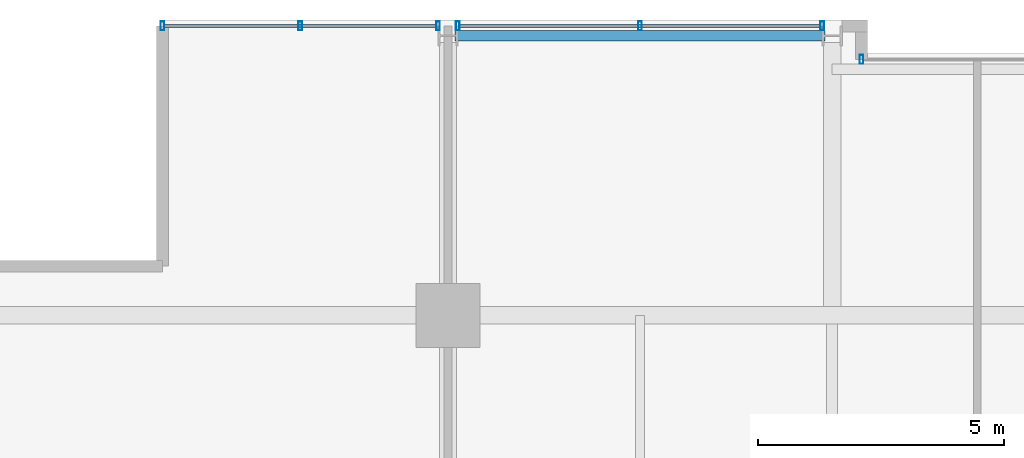
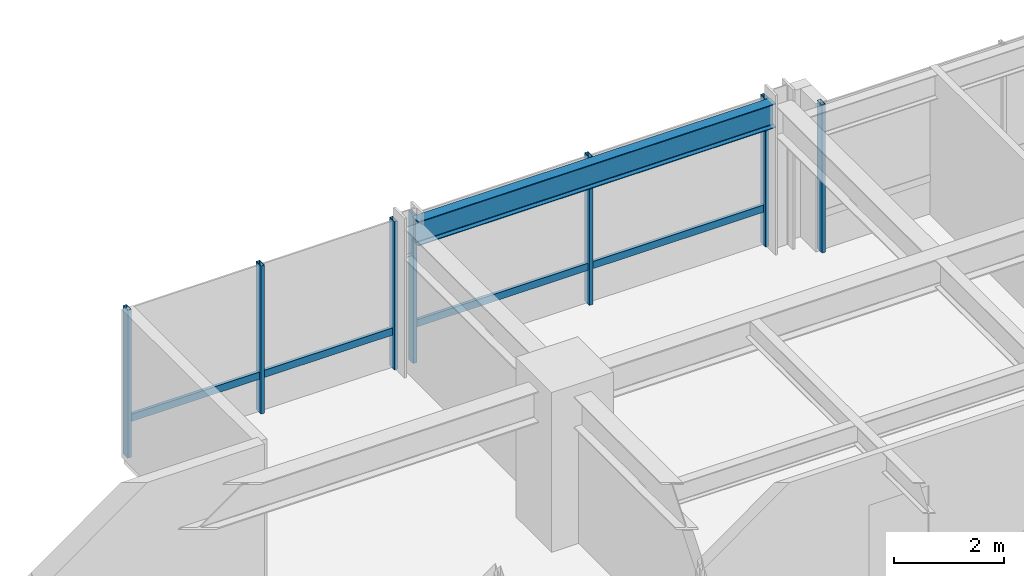
# One storey, part 21 of 32: 9 members, 1 beam, 3 elements without a shape of their own.
"""IFC4 building model written with IfcOpenShell, lengths in metres."""

from ifc_helpers import new_model, si_unit, direction, frame, origin, origin_2d, place, context, subcontext, project, spatial, hollow_rectangle, i_section, extrude, material, layer, layer_set, material_profile, profile_set, type_object, element, aggregate, save


model = new_model("IFC4")

# Units and contexts
model_context = context("Model", 3, precision=1e-05, world=origin(), true_north=direction((0.0, 1.0)))
body_context = subcontext(model_context, "Body", "Model", "MODEL_VIEW")
ifc_project = project(units=[si_unit("LENGTHUNIT", "METRE"), si_unit("AREAUNIT", "SQUARE_METRE"), si_unit("VOLUMEUNIT", "CUBIC_METRE"), si_unit("PLANEANGLEUNIT", "RADIAN"), si_unit("MASSUNIT", "GRAM", prefix="KILO")], contexts=[model_context])

# Site, building, storey
site_placement = place(None, origin())
site = spatial("IfcSite", under=ifc_project, at=site_placement, CompositionType="ELEMENT")
building_placement = place(site_placement, origin())
building = spatial("IfcBuilding", under=site, at=building_placement, Name="Drelvath Grand Hotel", CompositionType="ELEMENT")
storey_placement = place(building_placement, frame((0.0, 0.0, 164.60009765625)))
storey = spatial("IfcBuildingStorey", under=building, at=storey_placement, Name="L42", CompositionType="ELEMENT", Elevation=164.60009765625)

# Curtain wall, member
ifc_material_1 = material(Name="Brushed Pale-Silver Anodised Aluminium Frame", Category="aluminium")
ifc_layer = layer(ifc_material_1, 0.199951171875)
ifc_layer_set = layer_set([ifc_layer], Name="Brushed Pale-Silver Anodised Aluminium Frame")
curtain_wall_type = type_object("IfcCurtainWallType", Name="Stick Curtain Wall CW-04 Brushed Silver Upper-Mid", PredefinedType="NOTDEFINED", material=ifc_layer_set)
curtain_wall_1_placement = place(storey_placement, origin())
curtain_wall_1 = element("IfcCurtainWall", 1, at=curtain_wall_1_placement, inside=storey, type_object=curtain_wall_type, Name="L42 CW-04 Curtain Wall CW04-L42-NW1", PredefinedType="NOTDEFINED")
ifc_material_profile_1 = material_profile(ifc_material_1, hollow_rectangle(XDim=0.06494140625, YDim=0.159912109375, WallThickness=0.00390625, at=origin_2d()), Name="HSS160X65X4")
ifc_profile_set_1 = profile_set([ifc_material_profile_1], Name="Brushed Pale-Silver Anodised Aluminium Frame")
member_type_1 = type_object("IfcMemberType", Name="Curtain Wall Horizontal Transom CW-04 HSS160X65X4", PredefinedType="USERDEFINED", material=ifc_profile_set_1)
member_1_placement = place(storey_placement, frame((-21.9599609375, 49.080078125, 0.822509765625), z_axis=(1.0, 0.0, 0.0), x_axis=(0.0, 1.0, 0.0)))
member_1 = element("IfcMember", 2, at=member_1_placement, type_object=member_type_1, Name="CW04-L42-NW1 Sill Transom", ObjectType="TRANSOM", PredefinedType="USERDEFINED", context=body_context, shape_type="SweptSolid", body=[
    extrude(hollow_rectangle(XDim=0.06494140625, YDim=0.159912109375, WallThickness=0.00390625, at=origin_2d()), origin(), (0.0, 0.0, 1.0), 5.519775390625),
])

curtain_wall_2_placement = place(storey_placement, origin())
curtain_wall_2 = element("IfcCurtainWall", 3, at=curtain_wall_2_placement, inside=storey, type_object=curtain_wall_type, Name="L42 CW-04 Curtain Wall CW04-L42-NW2", PredefinedType="NOTDEFINED")
member_2_placement = place(storey_placement, frame((-15.9599609375, 49.080078125, 0.822509765625), z_axis=(1.0, 0.0, 0.0), x_axis=(0.0, 1.0, 0.0)))
member_2 = element("IfcMember", 4, at=member_2_placement, type_object=member_type_1, Name="CW04-L42-NW2 Sill Transom", ObjectType="TRANSOM", PredefinedType="USERDEFINED", context=body_context, shape_type="SweptSolid", body=[
    extrude(hollow_rectangle(XDim=0.06494140625, YDim=0.159912109375, WallThickness=0.00390625, at=origin_2d()), origin(), (0.0, 0.0, 1.0), 7.31982421875),
])

# Member
ifc_material_profile_2 = material_profile(ifc_material_1, hollow_rectangle(XDim=0.074951171875, YDim=0.179931640625, WallThickness=0.0048828125, at=origin_2d()), Name="HSS180X75X5")
ifc_profile_set_2 = profile_set([ifc_material_profile_2], Name="Brushed Pale-Silver Anodised Aluminium Frame")
member_type_2 = type_object("IfcMemberType", Name="Curtain Wall Vertical Mullion CW-04 HSS180X75X5", PredefinedType="MULLION", material=ifc_profile_set_2)
member_3_placement = place(storey_placement, frame((-22.0, 49.080078125, 0.0), z_axis=(0.0, 0.0, 1.0), x_axis=(1.0, 0.0, 0.0)))
member_3 = element("IfcMember", 5, at=member_3_placement, type_object=member_type_2, Name="CW04-L42-NW1 Mullion 1", PredefinedType="MULLION", context=body_context, shape_type="SweptSolid", body=[
    extrude(hollow_rectangle(XDim=0.074951171875, YDim=0.179931640625, WallThickness=0.0048828125, at=origin_2d()), origin(), (0.0, 0.0, 1.0), 3.289794921875),
])

member_4_placement = place(storey_placement, frame((-19.199951171875, 49.080078125, 0.0), z_axis=(0.0, 0.0, 1.0), x_axis=(1.0, 0.0, 0.0)))
member_4 = element("IfcMember", 6, at=member_4_placement, type_object=member_type_2, Name="CW04-L42-NW1 Mullion 2", PredefinedType="MULLION", context=body_context, shape_type="SweptSolid", body=[
    extrude(hollow_rectangle(XDim=0.074951171875, YDim=0.179931640625, WallThickness=0.0048828125, at=origin_2d()), origin(), (0.0, 0.0, 1.0), 3.289794921875),
])

member_5_placement = place(storey_placement, frame((-16.400146484375, 49.080078125, 0.0), z_axis=(0.0, 0.0, 1.0), x_axis=(1.0, 0.0, 0.0)))
member_5 = element("IfcMember", 7, at=member_5_placement, type_object=member_type_2, Name="CW04-L42-NW1 Mullion 3", PredefinedType="MULLION", context=body_context, shape_type="SweptSolid", body=[
    extrude(hollow_rectangle(XDim=0.074951171875, YDim=0.179931640625, WallThickness=0.0048828125, at=origin_2d()), origin(), (0.0, 0.0, 1.0), 3.289794921875),
])

aggregate(curtain_wall_1, [member_3, member_4, member_5, member_1])

member_6_placement = place(storey_placement, frame((-16.0, 49.080078125, 0.0), z_axis=(0.0, 0.0, 1.0), x_axis=(1.0, 0.0, 0.0)))
member_6 = element("IfcMember", 8, at=member_6_placement, type_object=member_type_2, Name="CW04-L42-NW2 Mullion 1", PredefinedType="MULLION", context=body_context, shape_type="SweptSolid", body=[
    extrude(hollow_rectangle(XDim=0.074951171875, YDim=0.179931640625, WallThickness=0.0048828125, at=origin_2d()), origin(), (0.0, 0.0, 1.0), 3.289794921875),
])

member_7_placement = place(storey_placement, frame((-12.300048828125, 49.080078125, 0.0), z_axis=(0.0, 0.0, 1.0), x_axis=(1.0, 0.0, 0.0)))
member_7 = element("IfcMember", 9, at=member_7_placement, type_object=member_type_2, Name="CW04-L42-NW2 Mullion 2", PredefinedType="MULLION", context=body_context, shape_type="SweptSolid", body=[
    extrude(hollow_rectangle(XDim=0.074951171875, YDim=0.179931640625, WallThickness=0.0048828125, at=origin_2d()), origin(), (0.0, 0.0, 1.0), 3.289794921875),
])

member_8_placement = place(storey_placement, frame((-8.60009765625, 49.080078125, 0.0), z_axis=(0.0, 0.0, 1.0), x_axis=(1.0, 0.0, 0.0)))
member_8 = element("IfcMember", 10, at=member_8_placement, type_object=member_type_2, Name="CW04-L42-NW2 Mullion 3", PredefinedType="MULLION", context=body_context, shape_type="SweptSolid", body=[
    extrude(hollow_rectangle(XDim=0.074951171875, YDim=0.179931640625, WallThickness=0.0048828125, at=origin_2d()), origin(), (0.0, 0.0, 1.0), 3.289794921875),
])

aggregate(curtain_wall_2, [member_6, member_7, member_8, member_2])

# Curtain wall, member
curtain_wall_3_placement = place(storey_placement, origin())
curtain_wall_3 = element("IfcCurtainWall", 11, at=curtain_wall_3_placement, inside=storey, type_object=curtain_wall_type, Name="L42 CW-04 Curtain Wall CW04-L42-NM1", PredefinedType="NOTDEFINED")
member_9_placement = place(storey_placement, frame((-7.800048828125, 48.39990234375, 0.0), z_axis=(0.0, 0.0, 1.0), x_axis=(1.0, 0.0, 0.0)))
member_9 = element("IfcMember", 12, at=member_9_placement, type_object=member_type_2, Name="CW04-L42-NM1 Mullion 1", PredefinedType="MULLION", context=body_context, shape_type="SweptSolid", body=[
    extrude(hollow_rectangle(XDim=0.074951171875, YDim=0.179931640625, WallThickness=0.0048828125, at=origin_2d()), origin(), (0.0, 0.0, 1.0), 3.289794921875),
])
aggregate(curtain_wall_3, [member_9])

# Beam
ifc_material_2 = material(Name="Steel ASTM A992 Gr 50", Category="steel")
ifc_material_profile_3 = material_profile(ifc_material_2, i_section(OverallWidth=0.210205078125, OverallDepth=0.53662109375, WebThickness=0.010986328125, FlangeThickness=0.017333984375, FilletRadius=0.01806640625, at=origin_2d()), Name="W21X68")
ifc_profile_set_3 = profile_set([ifc_material_profile_3], Name="Steel ASTM A992 Gr 50")
beam_type = type_object("IfcBeamType", Name="Perimeter Spandrel Beam W21X68", PredefinedType="SPANDREL", material=ifc_profile_set_3)
beam_placement = place(storey_placement, frame((-16.06005859375, 48.8798828125, 3.021484375), z_axis=(1.0, 0.0, 0.0), x_axis=(0.0, 1.0, 0.0)))
element("IfcBeam", 13, at=beam_placement, inside=storey, type_object=beam_type, Name="L42 Spandrel North W", PredefinedType="SPANDREL", context=body_context, shape_type="SweptSolid", body=[
    extrude(i_section(OverallWidth=0.210205078125, OverallDepth=0.53662109375, WebThickness=0.010986328125, FlangeThickness=0.017333984375, FilletRadius=0.01806640625, at=origin_2d()), origin(), (0.0, 0.0, 1.0), 7.52001953125),
])

save(model, "model.ifc")
